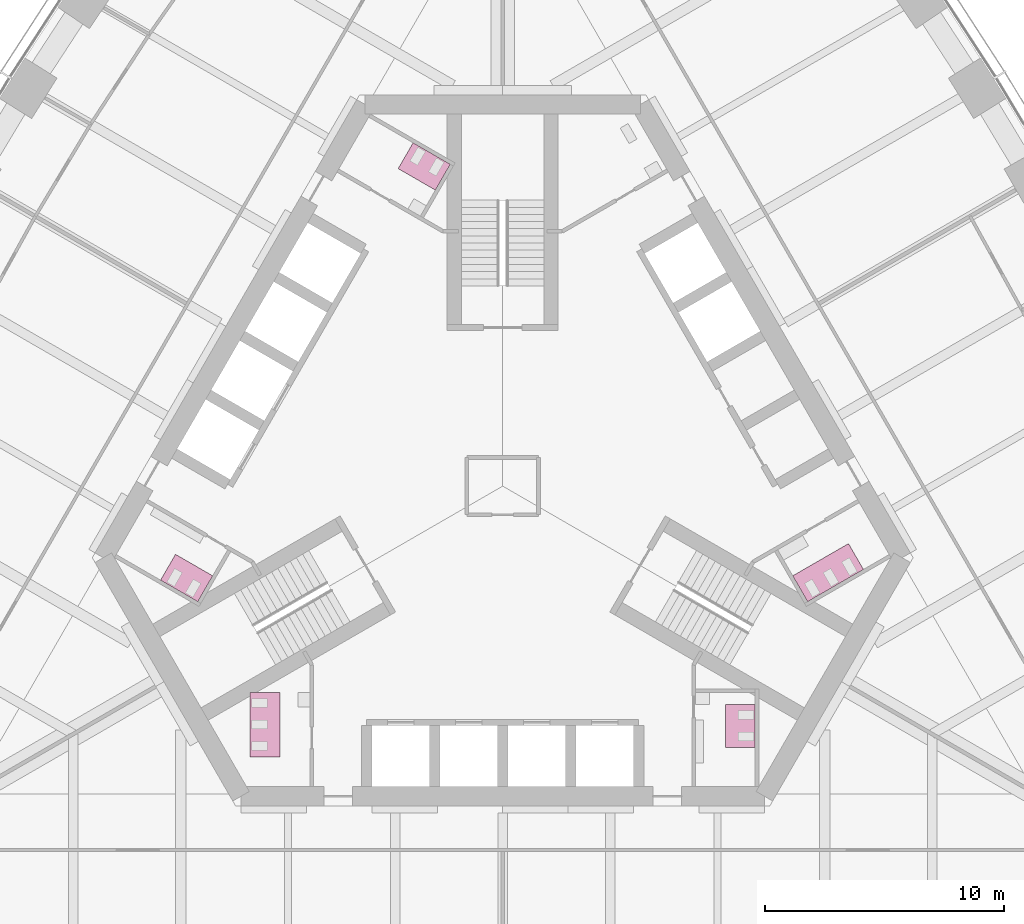
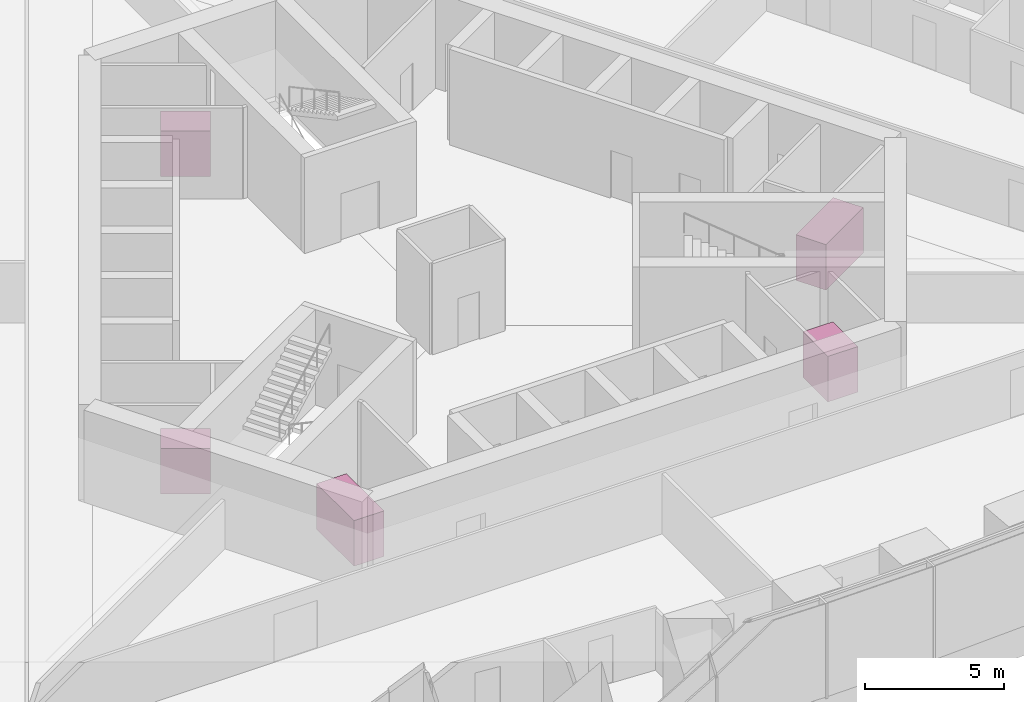
# One storey, part 18 of 18: 5 furniture elements.
"""IFC4 building model written with IfcOpenShell, lengths in metres."""

from ifc_helpers import new_model, si_unit, direction, frame, origin, place, context, subcontext, project, spatial, polyline, outline, extrude, material, type_object, element, save


model = new_model("IFC4")

# Units and contexts
model_context = context("Model", 3, precision=1e-05, world=origin(), true_north=direction((0.0, 1.0)))
body_context = subcontext(model_context, "Body", "Model", "MODEL_VIEW")
ifc_project = project(units=[si_unit("LENGTHUNIT", "METRE"), si_unit("AREAUNIT", "SQUARE_METRE"), si_unit("VOLUMEUNIT", "CUBIC_METRE"), si_unit("PLANEANGLEUNIT", "RADIAN"), si_unit("MASSUNIT", "GRAM", prefix="KILO")], contexts=[model_context])

# Site, building, storey
site_placement = place(None, origin())
site = spatial("IfcSite", under=ifc_project, at=site_placement, CompositionType="ELEMENT")
building_placement = place(site_placement, origin())
building = spatial("IfcBuilding", under=site, at=building_placement, Name="Trefoil Bronze Tower", CompositionType="ELEMENT")
storey_placement = place(building_placement, frame((0.0, 0.0, 161.89990234375)))
storey = spatial("IfcBuildingStorey", under=building, at=storey_placement, Name="L37", CompositionType="ELEMENT", Elevation=161.89990234375)

# Furniture
ifc_material_1 = material(Name="Compact laminate cubicles", Category="plastic")
furniture_type_1 = type_object("IfcFurnitureType", Name="WC cubicle range 2 cubicles", AssemblyPlace="FACTORY", PredefinedType="USERDEFINED", material=ifc_material_1)
furniture_1_placement = place(storey_placement, origin())
element("IfcFurniture", 1, at=furniture_1_placement, inside=storey, type_object=furniture_type_1, Name="WC cubicle range WC (men) L37", ObjectType="WC cubicle range", PredefinedType="USERDEFINED", context=body_context, shape_type="SweptSolid", body=[
    extrude(outline(polyline([(9.3349609375, -9.14990234375), (10.5849609375, -9.14990234375), (10.5849609375, -10.949951171875), (9.3349609375, -10.949951171875), (9.3349609375, -9.14990234375)])), origin(), (0.0, 0.0, 1.0), 2.0),
])
furniture_2_placement = place(storey_placement, origin())
element("IfcFurniture", 2, at=furniture_2_placement, inside=storey, type_object=furniture_type_1, Name="WC cubicle range WC (women) L37", ObjectType="WC cubicle range", PredefinedType="USERDEFINED", context=body_context, shape_type="SweptSolid", body=[
    extrude(outline(polyline([(-2.82373046875, 12.409423828125), (-2.19873046875, 13.491943359375), (-3.757568359375, 14.391845703125), (-4.382568359375, 13.309326171875), (-2.82373046875, 12.409423828125)])), origin(), (0.0, 0.0, 1.0), 2.0),
])
furniture_3_placement = place(storey_placement, origin())
element("IfcFurniture", 3, at=furniture_3_placement, inside=storey, type_object=furniture_type_1, Name="WC cubicle range WC (men) L37", ObjectType="WC cubicle range", PredefinedType="USERDEFINED", context=body_context, shape_type="SweptSolid", body=[
    extrude(outline(polyline([(-12.15869140625, -3.75927734375), (-12.78369140625, -4.841796875), (-14.342529296875, -3.94189453125), (-13.717529296875, -2.859375), (-12.15869140625, -3.75927734375)])), origin(), (0.0, 0.0, 1.0), 2.0),
])
ifc_material_2 = material(Name="Compact laminate cubicles", Category="plastic")
furniture_type_2 = type_object("IfcFurnitureType", Name="WC cubicle range 3 cubicles", AssemblyPlace="FACTORY", PredefinedType="USERDEFINED", material=ifc_material_2)
furniture_4_placement = place(storey_placement, origin())
element("IfcFurniture", 4, at=furniture_4_placement, inside=storey, type_object=furniture_type_2, Name="WC cubicle range WC (women) L37", ObjectType="WC cubicle range", PredefinedType="USERDEFINED", context=body_context, shape_type="SweptSolid", body=[
    extrude(outline(polyline([(12.15869140625, -3.75927734375), (12.78369140625, -4.841796875), (15.121826171875, -3.491943359375), (14.496826171875, -2.409423828125), (12.15869140625, -3.75927734375)])), origin(), (0.0, 0.0, 1.0), 2.0),
])
furniture_5_placement = place(storey_placement, origin())
element("IfcFurniture", 5, at=furniture_5_placement, inside=storey, type_object=furniture_type_2, Name="WC cubicle range WC (women) L37", ObjectType="WC cubicle range", PredefinedType="USERDEFINED", context=body_context, shape_type="SweptSolid", body=[
    extrude(outline(polyline([(-9.3349609375, -8.64990234375), (-10.5849609375, -8.64990234375), (-10.5849609375, -11.35009765625), (-9.3349609375, -11.35009765625), (-9.3349609375, -8.64990234375)])), origin(), (0.0, 0.0, 1.0), 2.0),
])

save(model, "model.ifc")
